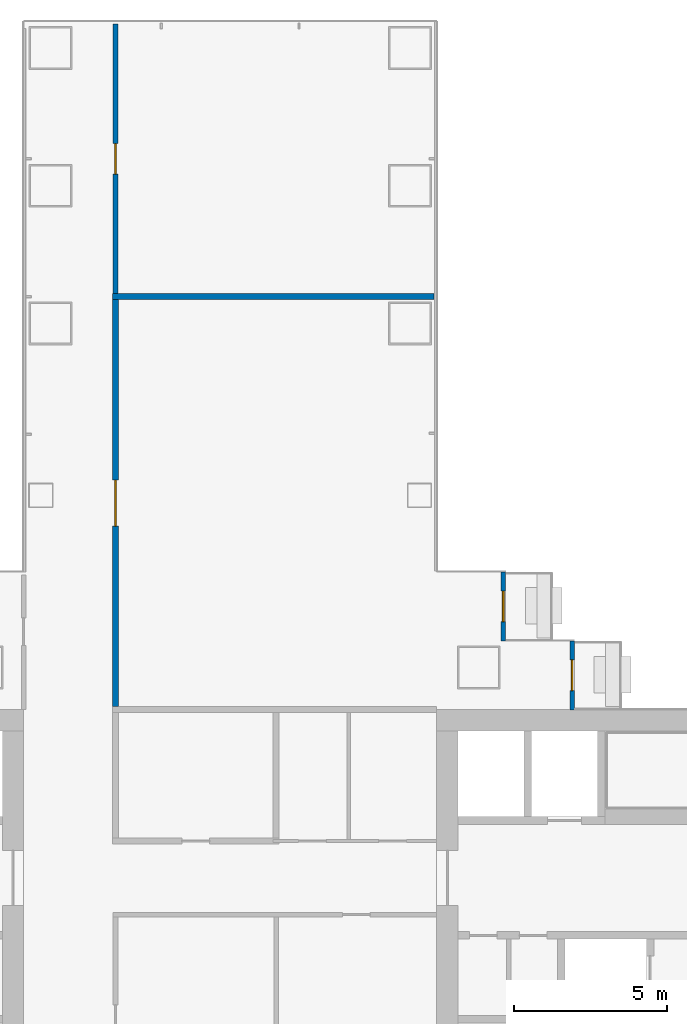
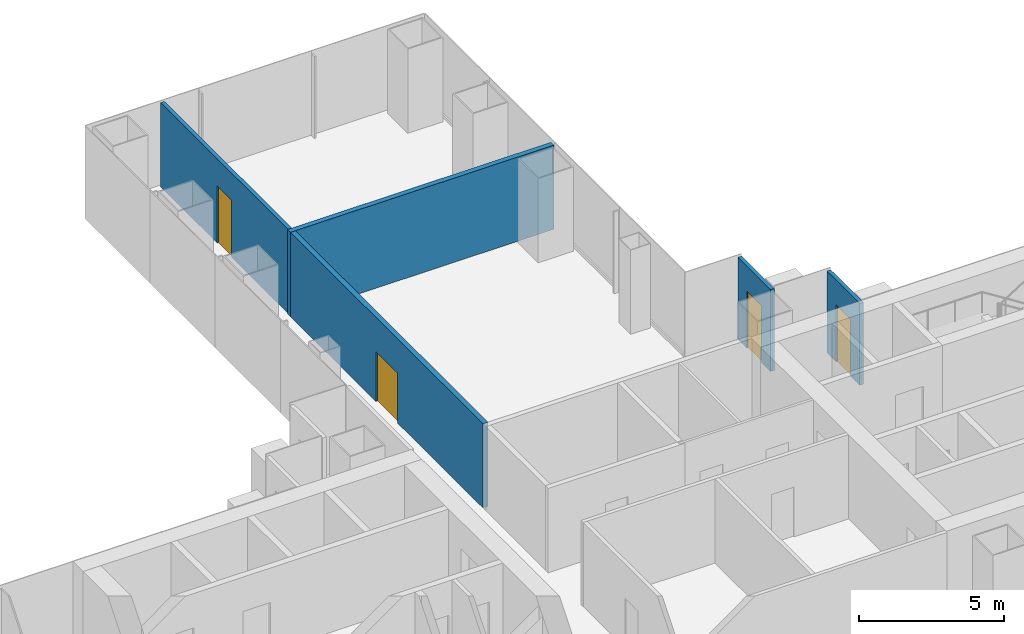
# One storey, part 18 of 22: 5 walls, 4 doors, 4 openings.
"""IFC4 building model written with IfcOpenShell, lengths in metres."""

from ifc_helpers import new_model, si_unit, direction, frame, frame_2d, origin, place, context, subcontext, project, spatial, rectangle, extrude, material, layer, layer_set, type_object, element, fill, save


model = new_model("IFC4")

# Units and contexts
model_context = context("Model", 3, precision=1e-05, world=origin(), true_north=direction((0.0, 1.0)))
body_context = subcontext(model_context, "Body", "Model", "MODEL_VIEW")
ifc_project = project(units=[si_unit("LENGTHUNIT", "METRE"), si_unit("AREAUNIT", "SQUARE_METRE"), si_unit("VOLUMEUNIT", "CUBIC_METRE"), si_unit("PLANEANGLEUNIT", "RADIAN"), si_unit("MASSUNIT", "GRAM", prefix="KILO")], contexts=[model_context])

# Site, building, storey
site_placement = place(None, origin())
site = spatial("IfcSite", under=ifc_project, at=site_placement, CompositionType="ELEMENT")
building_placement = place(site_placement, origin())
building = spatial("IfcBuilding", under=site, at=building_placement, Name="Shamsa Quay Exchange Towers", CompositionType="ELEMENT")
storey_placement = place(building_placement, frame((0.0, 0.0, 69.300048828125)))
storey = spatial("IfcBuildingStorey", under=building, at=storey_placement, Name="L15", CompositionType="ELEMENT", Elevation=69.300048828125)

# Wall, opening, door
ifc_material_1 = material(Name="Aluminium EN AW-6063 T6, black anodised, with black enamelled glass infill", Category="aluminium")
ifc_layer_1 = layer(ifc_material_1, 0.14990234375)
ifc_layer_set_1 = layer_set([ifc_layer_1], Name="BALCONY DOOR BAY WALL 150")
wall_type_1 = type_object("IfcWallType", Name="BALCONY DOOR BAY WALL 150", PredefinedType="SOLIDWALL", material=ifc_layer_set_1)
wall_1_placement = place(storey_placement, frame((42.675048828125, 11.25, 0.0), z_axis=(0.0, 0.0, 1.0), x_axis=(0.0, -1.0, 0.0)))
wall_1 = element("IfcWall", 1, at=wall_1_placement, inside=storey, type_object=wall_type_1, Name="Door bay T2-PKES L15", PredefinedType="SOLIDWALL", context=body_context, shape_type="SweptSolid", body=[
    extrude(rectangle(XDim=2.25, YDim=0.14990234375, at=frame_2d((1.125, 0.0))), origin(), (0.0, 0.0, 1.0), 3.449951171875),
])
opening_1_placement = place(wall_1_placement, frame((0.625, 0.0, 0.0)))
opening_1 = element("IfcOpeningElement", 2, at=opening_1_placement, cuts=wall_1, Name="Opening XD091", PredefinedType="OPENING", context=body_context, shape_type="SweptSolid", body=[
    extrude(rectangle(XDim=1.0, YDim=2.39990234375, at=frame_2d((0.5, 1.199951171875))), frame((0.0, 0.0849609375, 0.0), z_axis=(0.0, -1.0, 0.0), x_axis=(1.0, 0.0, 0.0)), (0.0, 0.0, 1.0), 0.169921875),
])
ifc_material_2 = material(Name="Aluminium EN AW-6063 T6, black anodised, with laminated glass leaf", Category="aluminium")
door_type_1 = type_object("IfcDoorType", Name="BALCONY DOOR 1000x2400", OperationType="SINGLE_SWING_LEFT", PredefinedType="DOOR", material=ifc_material_2)
door_1_placement = place(opening_1_placement, origin())
door_1 = element("IfcDoor", 3, at=door_1_placement, inside=storey, type_object=door_type_1, Name="Balcony door T2-PKES L15", OperationType="SINGLE_SWING_RIGHT", OverallHeight=2.39990234375, OverallWidth=1.0, PredefinedType="DOOR", context=body_context, shape_type="SweptSolid", body=[
    extrude(rectangle(XDim=1.0, YDim=2.39990234375, at=frame_2d((0.5, 1.199951171875))), frame((0.0, 0.02490234375, 0.0), z_axis=(0.0, -1.0, 0.0), x_axis=(1.0, 0.0, 0.0)), (0.0, 0.0, 1.0), 0.050048828125),
])
fill(opening_1, door_1)

wall_2_placement = place(storey_placement, frame((44.925048828125, 9.0, 0.0), z_axis=(0.0, 0.0, 1.0), x_axis=(0.0, -1.0, 0.0)))
wall_2 = element("IfcWall", 4, at=wall_2_placement, inside=storey, type_object=wall_type_1, Name="Door bay T2-PKES L15", PredefinedType="SOLIDWALL", context=body_context, shape_type="SweptSolid", body=[
    extrude(rectangle(XDim=2.257080078125, YDim=0.14990234375, at=frame_2d((1.12841796875, 0.0))), origin(), (0.0, 0.0, 1.0), 3.449951171875),
])
opening_2_placement = place(wall_2_placement, frame((0.625, 0.0, 0.0)))
opening_2 = element("IfcOpeningElement", 5, at=opening_2_placement, cuts=wall_2, Name="Opening XD092", PredefinedType="OPENING", context=body_context, shape_type="SweptSolid", body=[
    extrude(rectangle(XDim=1.0, YDim=2.39990234375, at=frame_2d((0.5, 1.199951171875))), frame((0.0, 0.0849609375, 0.0), z_axis=(0.0, -1.0, 0.0), x_axis=(1.0, 0.0, 0.0)), (0.0, 0.0, 1.0), 0.169921875),
])
door_2_placement = place(opening_2_placement, origin())
door_2 = element("IfcDoor", 6, at=door_2_placement, inside=storey, type_object=door_type_1, Name="Balcony door T2-PKES L15", OperationType="SINGLE_SWING_LEFT", OverallHeight=2.39990234375, OverallWidth=1.0, PredefinedType="DOOR", context=body_context, shape_type="SweptSolid", body=[
    extrude(rectangle(XDim=1.0, YDim=2.39990234375, at=frame_2d((0.5, 1.199951171875))), frame((0.0, 0.02490234375, 0.0), z_axis=(0.0, -1.0, 0.0), x_axis=(1.0, 0.0, 0.0)), (0.0, 0.0, 1.0), 0.050048828125),
])
fill(opening_2, door_2)

ifc_material_3 = material(Name="Gypsum board partition on metal studs")
ifc_layer_2 = layer(ifc_material_3, 0.14990234375)
ifc_layer_set_2 = layer_set([ifc_layer_2], Name="Partition 150 mm EI 60")
wall_type_2 = type_object("IfcWallType", Name="Partition 150 mm EI 60", PredefinedType="PARTITIONING", material=ifc_layer_set_2)
wall_3_placement = place(storey_placement, frame((30.0, 29.155029296875, 0.0), z_axis=(0.0, 0.0, 1.0), x_axis=(0.0, -1.0, 0.0)))
wall_3 = element("IfcWall", 7, at=wall_3_placement, inside=storey, type_object=wall_type_2, Name="Partition T2-R07-W05", PredefinedType="PARTITIONING", context=body_context, shape_type="SweptSolid", body=[
    extrude(rectangle(XDim=8.804931640625, YDim=0.14990234375, at=frame_2d((4.40234375, 0.0))), origin(), (0.0, 0.0, 1.0), 3.550048828125),
])
opening_3_placement = place(wall_3_placement, frame((3.905029296875, 0.0, 0.0)))
opening_3 = element("IfcOpeningElement", 8, at=opening_3_placement, cuts=wall_3, Name="Opening T2-R07-D10", PredefinedType="OPENING", context=body_context, shape_type="SweptSolid", body=[
    extrude(rectangle(XDim=1.0, YDim=2.39990234375, at=frame_2d((0.5, 1.199951171875))), frame((0.0, 0.0849609375, 0.0), z_axis=(0.0, -1.0, 0.0), x_axis=(1.0, 0.0, 0.0)), (0.0, 0.0, 1.0), 0.169921875),
])
ifc_material_4 = material(Name="Timber door leaf in a metal frame", Category="wood")
door_type_2 = type_object("IfcDoorType", Name="Door 1000x2400 FD30S", OperationType="NOTDEFINED", PredefinedType="DOOR", material=ifc_material_4)
door_3_placement = place(opening_3_placement, origin())
door_3 = element("IfcDoor", 9, at=door_3_placement, inside=storey, type_object=door_type_2, Name="Door T2-R07-D10", OperationType="SINGLE_SWING_LEFT", OverallHeight=2.39990234375, OverallWidth=1.0, PredefinedType="DOOR", context=body_context, shape_type="SweptSolid", body=[
    extrude(rectangle(XDim=1.0, YDim=2.39990234375, at=frame_2d((0.5, 1.199951171875))), frame((0.0, 0.02490234375, 0.0), z_axis=(0.0, -1.0, 0.0), x_axis=(1.0, 0.0, 0.0)), (0.0, 0.0, 1.0), 0.050048828125),
])
fill(opening_3, door_3)

ifc_layer_3 = layer(ifc_material_3, 0.199951171875)
ifc_layer_set_3 = layer_set([ifc_layer_3], Name="Partition 200 mm EI 90")
wall_type_3 = type_object("IfcWallType", Name="Partition 200 mm EI 90", PredefinedType="PARTITIONING", material=ifc_layer_set_3)
wall_4_placement = place(storey_placement, frame((30.0, 20.14990234375, 0.0), z_axis=(0.0, 0.0, 1.0), x_axis=(0.0, -1.0, 0.0)))
wall_4 = element("IfcWall", 10, at=wall_4_placement, inside=storey, type_object=wall_type_3, Name="Partition T2-R07-W02", PredefinedType="PARTITIONING", context=body_context, shape_type="SweptSolid", body=[
    extrude(rectangle(XDim=13.2998046875, YDim=0.199951171875, at=frame_2d((6.64990234375, 0.0))), origin(), (0.0, 0.0, 1.0), 3.550048828125),
])
opening_4_placement = place(wall_4_placement, frame((5.89990234375, 0.0, 0.0)))
opening_4 = element("IfcOpeningElement", 11, at=opening_4_placement, cuts=wall_4, Name="Opening T2-R07-D09", PredefinedType="OPENING", context=body_context, shape_type="SweptSolid", body=[
    extrude(rectangle(XDim=1.5, YDim=2.10009765625, at=frame_2d((0.75, 1.050048828125))), frame((0.0, 0.10986328125, 0.0), z_axis=(0.0, -1.0, 0.0), x_axis=(1.0, 0.0, 0.0)), (0.0, 0.0, 1.0), 0.219970703125),
])
door_type_3 = type_object("IfcDoorType", Name="Door 1500x2100 FD30S pair", OperationType="NOTDEFINED", PredefinedType="DOOR", material=ifc_material_4)
door_4_placement = place(opening_4_placement, origin())
door_4 = element("IfcDoor", 12, at=door_4_placement, inside=storey, type_object=door_type_3, Name="Door T2-R07-D09", OperationType="DOUBLE_DOOR_SINGLE_SWING", OverallHeight=2.10009765625, OverallWidth=1.5, PredefinedType="DOOR", context=body_context, shape_type="SweptSolid", body=[
    extrude(rectangle(XDim=1.5, YDim=2.10009765625, at=frame_2d((0.75, 1.050048828125))), frame((0.0, 0.02490234375, 0.0), z_axis=(0.0, -1.0, 0.0), x_axis=(1.0, 0.0, 0.0)), (0.0, 0.0, 1.0), 0.050048828125),
])
fill(opening_4, door_4)

# Wall
wall_5_placement = place(storey_placement, frame((40.405029296875, 20.25, 0.0), z_axis=(0.0, 0.0, 1.0), x_axis=(-1.0, 0.0, 0.0)))
element("IfcWall", 13, at=wall_5_placement, inside=storey, type_object=wall_type_3, Name="Partition T2-R07-W13", PredefinedType="PARTITIONING", context=body_context, shape_type="SweptSolid", body=[
    extrude(rectangle(XDim=10.505126953125, YDim=0.199951171875, at=frame_2d((5.25244140625, 0.0))), origin(), (0.0, 0.0, 1.0), 3.550048828125),
])

save(model, "model.ifc")
